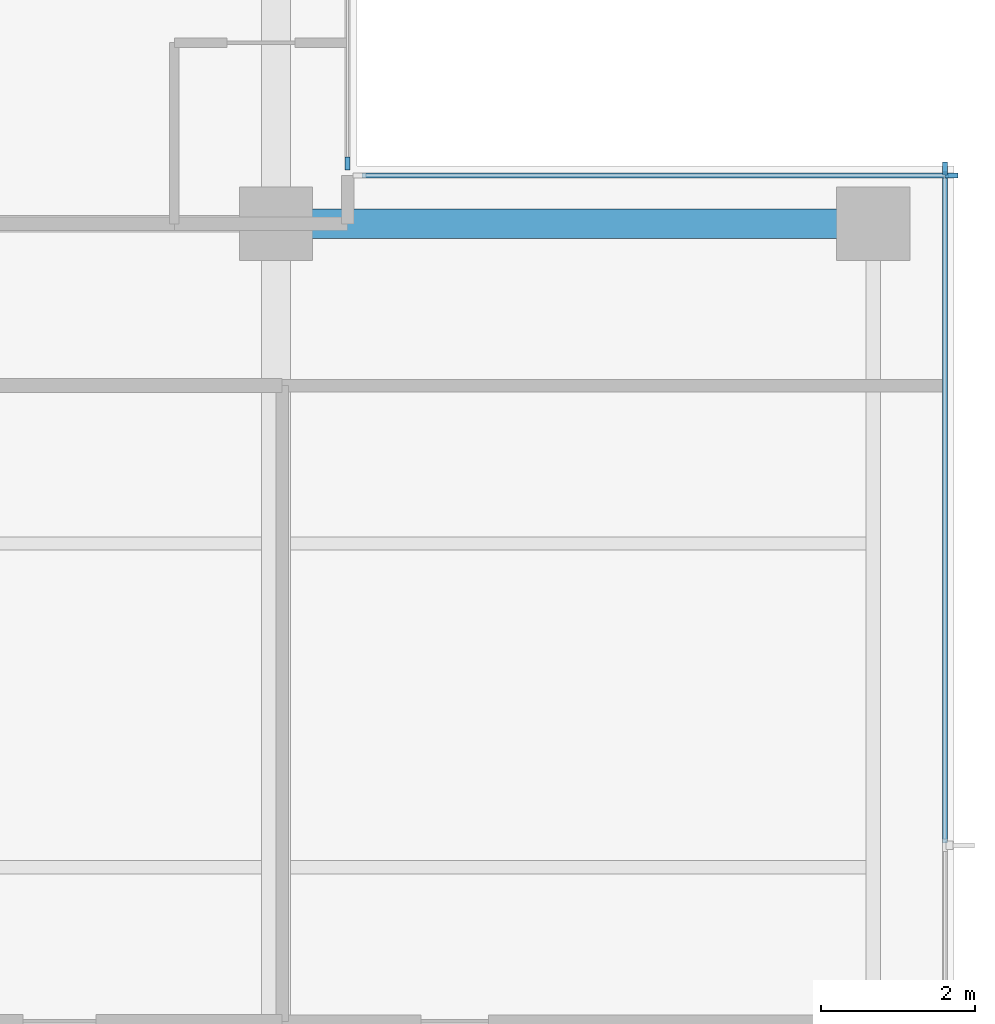
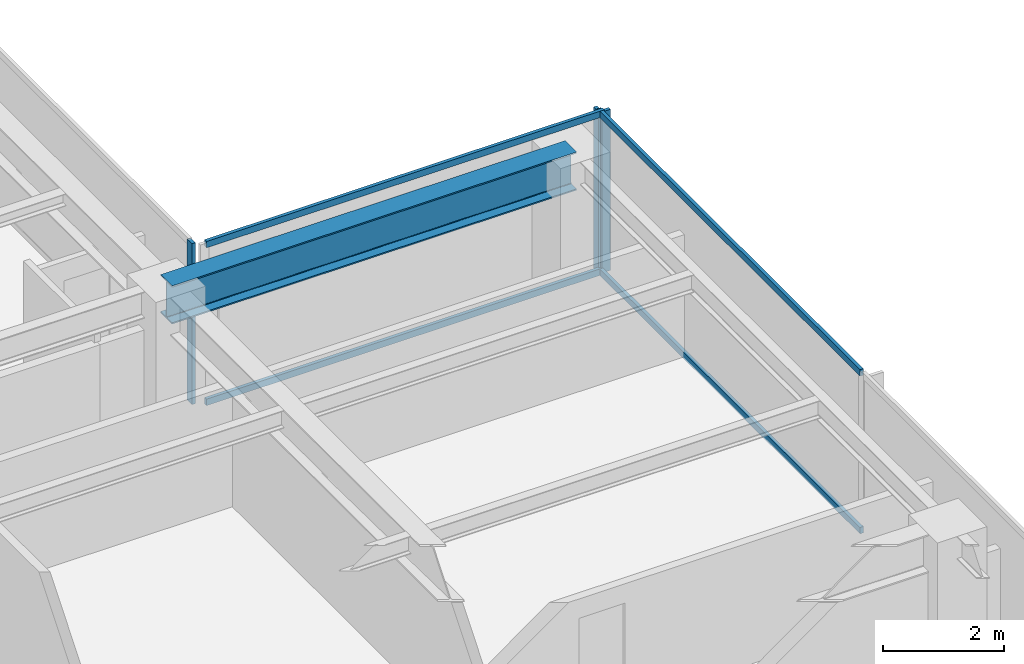
# One storey, part 4 of 14: 7 members, 1 beam, 3 elements without a shape of their own.
"""IFC4 building model written with IfcOpenShell, lengths in metres."""

import ifcopenshell
import ifcopenshell.guid

model = None  # the IFC model being written
_history = None  # IfcOwnerHistory: only IFC2X3 demands one
_inside = {}  # id of a spatial element -> (the spatial element, [elements in it])
_under = {}  # id of a project, library or spatial element -> (it, [spatial elements below it])
_declared = {}  # id of a project -> (the project, [libraries it declares])
_typed = {}  # id of a type object -> (the type object, [elements of that type])
_made_of = {}  # id of a material, layer set ... -> (it, [elements and type objects made of it])


def new_model(schema):
    """Start an empty IFC model of exactly this schema.

    Asked for "IFC4X3", IfcOpenShell would pick the latest addendum, in which some entities
    have other attributes; the version numbers below select the first issue.
    IFC2X3 requires an IfcOwnerHistory on every rooted entity: one is made here for all.
    """
    global model, _history
    if schema == "IFC4X3":
        model = ifcopenshell.file(schema_version=(4, 3, 0, 0))
    else:
        model = ifcopenshell.file(schema=schema)
    _inside.clear()
    _under.clear()
    _declared.clear()
    _typed.clear()
    _made_of.clear()
    _history = None
    if model.schema == "IFC2X3":
        org = make("IfcOrganization", Name="unknown")
        user = make(
            "IfcPersonAndOrganization",
            ThePerson=make("IfcPerson", FamilyName="unknown"),
            TheOrganization=org,
        )
        app = make(
            "IfcApplication",
            ApplicationDeveloper=org,
            Version="unknown",
            ApplicationFullName="unknown",
            ApplicationIdentifier="unknown",
        )
        _history = make(
            "IfcOwnerHistory",
            OwningUser=user,
            OwningApplication=app,
            ChangeAction="ADDED",
            CreationDate=0,
        )
    return model


def make(cls, **values):
    """One entity of the class cls with the attributes given. An attribute that is None is left unset."""
    return model.create_entity(
        cls, **{name: value for name, value in values.items() if value is not None}
    )


def rooted(cls, **values):
    """An entity with a GlobalId (a new one), such as an element, a storey or a relation."""
    return make(cls, GlobalId=ifcopenshell.guid.new(), OwnerHistory=_history, **values)


def si_unit(unit_type, name, prefix=None):
    """IfcSIUnit, for example si_unit("LENGTHUNIT", "METRE", prefix="MILLI")."""
    return make("IfcSIUnit", UnitType=unit_type, Prefix=prefix, Name=name)


def assignment(units):
    """IfcUnitAssignment: the units of a project."""
    return None if units is None else make("IfcUnitAssignment", Units=units)


def point(xyz):
    """IfcCartesianPoint."""
    return None if xyz is None else make("IfcCartesianPoint", Coordinates=xyz)


def direction(xyz):
    """IfcDirection."""
    return None if xyz is None else make("IfcDirection", DirectionRatios=xyz)


def frame(location, z_axis=None, x_axis=None):
    """IfcAxis2Placement3D, a coordinate frame: its origin and axes. An axis left out is left unset."""
    return make(
        "IfcAxis2Placement3D",
        Location=point(location),
        Axis=direction(z_axis),
        RefDirection=direction(x_axis),
    )


def frame_2d(location, x_axis=None):
    """IfcAxis2Placement2D, a coordinate frame in the plane: its origin and x axis."""
    return make(
        "IfcAxis2Placement2D", Location=point(location), RefDirection=direction(x_axis)
    )


def origin():
    """The frame at (0, 0, 0) with its axes left unset."""
    return frame((0.0, 0.0, 0.0))


def origin_2d():
    """The frame at (0, 0) in the plane with its x axis left unset."""
    return frame_2d((0.0, 0.0))


def place(relative_to, where):
    """IfcLocalPlacement: puts the frame where relative to a parent placement (None: the world)."""
    return make(
        "IfcLocalPlacement", PlacementRelTo=relative_to, RelativePlacement=where
    )


def context(
    kind, dimensions, precision=None, world=None, true_north=None, identifier=None
):
    """IfcGeometricRepresentationContext, for example the 3D "Model" context."""
    return make(
        "IfcGeometricRepresentationContext",
        ContextIdentifier=identifier,
        ContextType=kind,
        CoordinateSpaceDimension=dimensions,
        Precision=precision,
        WorldCoordinateSystem=world,
        TrueNorth=true_north,
    )


def subcontext(parent, identifier, kind, view, scale=None):
    """IfcGeometricRepresentationSubContext, for example "Body" below "Model"."""
    return make(
        "IfcGeometricRepresentationSubContext",
        ContextIdentifier=identifier,
        ContextType=kind,
        ParentContext=parent,
        TargetScale=scale,
        TargetView=view,
    )


def project(units=None, contexts=None):
    """IfcProject with its units and contexts."""
    return rooted(
        "IfcProject",
        Name="project",
        RepresentationContexts=contexts,
        UnitsInContext=assignment(units),
    )


def spatial(cls, under=None, at=None, **own):
    """A site, building, storey or space (cls), placed at a placement, below another one or the project."""
    s = rooted(cls, ObjectPlacement=at, **own)
    if under is not None:
        _under.setdefault(under.id(), (under, []))[1].append(s)
    return s


def profile(cls, at=None, kind="AREA", **sizes):
    """A parametric profile (cls). Its sizes go by their IFC names, for example OverallWidth=200.0."""
    return make(cls, ProfileType=kind, Position=at, **sizes)


def rectangle(**sizes):
    """IfcRectangleProfileDef."""
    return profile("IfcRectangleProfileDef", **sizes)


def i_section(**sizes):
    """IfcIShapeProfileDef."""
    return profile("IfcIShapeProfileDef", **sizes)


def extrude(swept, where, along, depth):
    """IfcExtrudedAreaSolid: the profile swept, set in the frame where, extruded along a direction by depth."""
    return make(
        "IfcExtrudedAreaSolid",
        SweptArea=swept,
        Position=where,
        ExtrudedDirection=direction(along),
        Depth=depth,
    )


def shape(context_of_items, identifier, shape_type, items):
    """IfcShapeRepresentation: the items that make up one representation, for example the "Body"."""
    return make(
        "IfcShapeRepresentation",
        ContextOfItems=context_of_items,
        RepresentationIdentifier=identifier,
        RepresentationType=shape_type,
        Items=items,
    )


def material(Name=None, Category=None):
    """IfcMaterial."""
    return make("IfcMaterial", Name=Name, Category=Category)


def layer(
    of_material, thickness, ventilated=None, Name=None, Category=None, Priority=None
):
    """IfcMaterialLayer: one layer of a wall or slab, of a material (None: an air gap)."""
    return make(
        "IfcMaterialLayer",
        Material=of_material,
        LayerThickness=thickness,
        IsVentilated=ventilated,
        Name=Name,
        Category=Category,
        Priority=Priority,
    )


def layer_set(layers, Name=None):
    """IfcMaterialLayerSet."""
    return make("IfcMaterialLayerSet", MaterialLayers=layers, LayerSetName=Name)


def material_profile(
    of_material, cross_section, Name=None, Category=None, Priority=None
):
    """IfcMaterialProfile: a cross section and its material."""
    return make(
        "IfcMaterialProfile",
        Name=Name,
        Material=of_material,
        Profile=cross_section,
        Priority=Priority,
        Category=Category,
    )


def profile_set(profiles, Name=None, composite=None):
    """IfcMaterialProfileSet."""
    return make(
        "IfcMaterialProfileSet",
        Name=Name,
        MaterialProfiles=profiles,
        CompositeProfile=composite,
    )


def made_of(thing, what):
    """Note that an element or type object is made of a material, layer set ...; save() writes the relation."""
    if what is not None:
        _made_of.setdefault(what.id(), (what, []))[1].append(thing)
    return thing


def type_object(cls, material=None, **own):
    """A type object (cls), such as IfcWallType, which elements share."""
    return made_of(rooted(cls, **own), material)


def element(
    cls,
    number,
    at=None,
    inside=None,
    cuts=None,
    type_object=None,
    material=None,
    context=None,
    identifier="Body",
    shape_type=None,
    held_by="IfcProductDefinitionShape",
    body=None,
    shapes=None,
    **own,
):
    """One element of the class cls, such as IfcWall. Its Tag is "e" and its number.

    at: its placement. inside: the storey or other place that contains it. cuts: it is an
    opening in that element (IfcRelVoidsElement). A single representation is given by context,
    identifier, shape_type and body (its items); several are given by shapes. held_by: the class
    of the entity that holds the representations. save() writes the other relations.
    """
    e = rooted(cls, Tag="e%d" % number, ObjectPlacement=at, **own)
    if body is not None:
        shapes = [shape(context, identifier, shape_type, body)]
    if shapes is not None:
        e.Representation = make(held_by, Representations=shapes)
    if inside is not None:
        _inside.setdefault(inside.id(), (inside, []))[1].append(e)
    if cuts is not None:
        rooted(
            "IfcRelVoidsElement", RelatingBuildingElement=cuts, RelatedOpeningElement=e
        )
    if type_object is not None:
        _typed.setdefault(type_object.id(), (type_object, []))[1].append(e)
    return made_of(e, material)


def aggregate(whole, parts):
    """IfcRelAggregates: a whole, such as a stair, and the parts it consists of."""
    return rooted("IfcRelAggregates", RelatingObject=whole, RelatedObjects=parts)


def save(model, path):
    """Write the relations noted so far, then the file.

    IfcRelAggregates (storeys below a building ...), IfcRelContainedInSpatialStructure (elements
    in a storey), IfcRelDefinesByType, IfcRelAssociatesMaterial and IfcRelDeclares: one each for
    every whole, place, type object, material and project.
    """
    for whole, parts in _under.values():
        aggregate(whole, parts)
    for where, things in _inside.values():
        rooted(
            "IfcRelContainedInSpatialStructure",
            RelatedElements=things,
            RelatingStructure=where,
        )
    for kind, things in _typed.values():
        rooted("IfcRelDefinesByType", RelatedObjects=things, RelatingType=kind)
    for what, things in _made_of.values():
        rooted("IfcRelAssociatesMaterial", RelatedObjects=things, RelatingMaterial=what)
    for by, libraries in _declared.values():
        rooted("IfcRelDeclares", RelatingContext=by, RelatedDefinitions=libraries)
    model.write(path)


model = new_model("IFC4")

# Units and contexts
model_context = context("Model", 3, precision=1e-05, world=origin(), true_north=direction((0.0, 1.0)))
body_context = subcontext(model_context, "Body", "Model", "MODEL_VIEW")
ifc_project = project(units=[si_unit("LENGTHUNIT", "METRE"), si_unit("AREAUNIT", "SQUARE_METRE"), si_unit("VOLUMEUNIT", "CUBIC_METRE"), si_unit("PLANEANGLEUNIT", "RADIAN"), si_unit("MASSUNIT", "GRAM", prefix="KILO")], contexts=[model_context])

# Site, building, storey
site_placement = place(None, origin())
site = spatial("IfcSite", under=ifc_project, at=site_placement, CompositionType="ELEMENT")
building_placement = place(site_placement, origin())
building = spatial("IfcBuilding", under=site, at=building_placement, Name="Qalmaran Belvedere Hotel", CompositionType="ELEMENT")
storey_placement = place(building_placement, frame((0.0, 0.0, 224.89990234375)))
storey = spatial("IfcBuildingStorey", under=building, at=storey_placement, Name="L57", CompositionType="ELEMENT", Elevation=224.89990234375)

# Beam
ifc_material_1 = material(Name="Steel S355JR", Category="steel")
ifc_material_profile_1 = material_profile(ifc_material_1, i_section(OverallWidth=0.381103515625, OverallDepth=0.77294921875, WebThickness=0.0166015625, FlangeThickness=0.027099609375, FilletRadius=0.02197265625, at=origin_2d()), Name="W760X257")
ifc_profile_set_1 = profile_set([ifc_material_profile_1], Name="Steel S355JR")
beam_type = type_object("IfcBeamType", Name="BM-PG4-W760X257", PredefinedType="USERDEFINED", material=ifc_profile_set_1)
beam_placement = place(storey_placement, frame((44.800048828125, 33.0, 2.87353515625), z_axis=(1.0, 0.0, 0.0), x_axis=(0.0, 1.0, 0.0)))
element("IfcBeam", 1, at=beam_placement, inside=storey, type_object=beam_type, Name="L57 East Wing Girder 27", ObjectType="GIRDER", PredefinedType="USERDEFINED", context=body_context, shape_type="SweptSolid", body=[
    extrude(i_section(OverallWidth=0.381103515625, OverallDepth=0.77294921875, WebThickness=0.0166015625, FlangeThickness=0.027099609375, FilletRadius=0.02197265625, at=origin_2d()), origin(), (0.0, 0.0, 1.0), 7.75),
])

# Curtain wall, member
ifc_material_2 = material(Name="Anodised Bronze Aluminium", Category="aluminium")
ifc_layer = layer(ifc_material_2, 0.18994140625, Name="Anodised Bronze Aluminium")
ifc_layer_set = layer_set([ifc_layer], Name="Anodised Bronze Aluminium")
curtain_wall_type = type_object("IfcCurtainWallType", Name="CW5-TOWER-UPPER", PredefinedType="NOTDEFINED", material=ifc_layer_set)
curtain_wall_1_placement = place(storey_placement, origin())
curtain_wall_1 = element("IfcCurtainWall", 2, at=curtain_wall_1_placement, inside=storey, type_object=curtain_wall_type, Name="L57 Curtain Wall CW5", PredefinedType="NOTDEFINED")
ifc_material_profile_2 = material_profile(ifc_material_2, rectangle(XDim=0.06494140625, YDim=0.1650390625, at=origin_2d()), Name="CWM65X165")
ifc_profile_set_2 = profile_set([ifc_material_profile_2], Name="Anodised Bronze Aluminium")
member_type_1 = type_object("IfcMemberType", Name="CWM-65X165", PredefinedType="MULLION", material=ifc_profile_set_2)
member_1_placement = place(storey_placement, frame((53.47998046875, 33.717529296875, 0.0), z_axis=(0.0, 0.0, 1.0), x_axis=(-1.0, 0.0, 0.0)))
member_1 = element("IfcMember", 3, at=member_1_placement, type_object=member_type_1, Name="CW5 mullion 4", PredefinedType="MULLION", context=body_context, shape_type="SweptSolid", body=[
    extrude(rectangle(XDim=0.06494140625, YDim=0.1650390625, at=origin_2d()), origin(), (0.0, 0.0, 1.0), 3.260009765625),
])

curtain_wall_2_placement = place(storey_placement, origin())
curtain_wall_2 = element("IfcCurtainWall", 4, at=curtain_wall_2_placement, inside=storey, type_object=curtain_wall_type, Name="L57 Curtain Wall CW5", PredefinedType="NOTDEFINED")
member_2_placement = place(storey_placement, frame((53.5673828125, 33.6298828125, 0.0), z_axis=(0.0, 0.0, 1.0), x_axis=(0.0, -1.0, 0.0)))
member_2 = element("IfcMember", 5, at=member_2_placement, type_object=member_type_1, Name="CW5 mullion 1", PredefinedType="MULLION", context=body_context, shape_type="SweptSolid", body=[
    extrude(rectangle(XDim=0.06494140625, YDim=0.1650390625, at=origin_2d()), origin(), (0.0, 0.0, 1.0), 3.260009765625),
])

curtain_wall_3_placement = place(storey_placement, origin())
curtain_wall_3 = element("IfcCurtainWall", 6, at=curtain_wall_3_placement, inside=storey, type_object=curtain_wall_type, Name="L57 Curtain Wall CW5", PredefinedType="NOTDEFINED")
member_3_placement = place(storey_placement, frame((45.72998046875, 33.782470703125, 0.0), z_axis=(0.0, 0.0, 1.0), x_axis=(-1.0, 0.0, 0.0)))
member_3 = element("IfcMember", 7, at=member_3_placement, type_object=member_type_1, Name="CW5 mullion 1", PredefinedType="MULLION", context=body_context, shape_type="SweptSolid", body=[
    extrude(rectangle(XDim=0.06494140625, YDim=0.1650390625, at=origin_2d()), origin(), (0.0, 0.0, 1.0), 3.260009765625),
])
aggregate(curtain_wall_3, [member_3])

# Member
ifc_material_profile_3 = material_profile(ifc_material_2, rectangle(XDim=0.06494140625, YDim=0.1298828125, at=origin_2d()), Name="CWT65X130")
ifc_profile_set_3 = profile_set([ifc_material_profile_3], Name="Anodised Bronze Aluminium")
member_type_2 = type_object("IfcMemberType", Name="CWT-65X130", PredefinedType="USERDEFINED", material=ifc_profile_set_3)
member_4_placement = place(storey_placement, frame((53.47998046875, 24.9658203125, 0.03271484375), z_axis=(0.0, 1.0, 0.0), x_axis=(-1.0, 0.0, 0.0)))
member_4 = element("IfcMember", 8, at=member_4_placement, type_object=member_type_2, Name="CW5 transom 3.1", ObjectType="TRANSOM", PredefinedType="USERDEFINED", context=body_context, shape_type="SweptSolid", body=[
    extrude(rectangle(XDim=0.06494140625, YDim=0.1298828125, at=origin_2d()), origin(), (0.0, 0.0, 1.0), 8.71923828125),
])

member_5_placement = place(storey_placement, frame((53.47998046875, 24.9658203125, 3.2275390625), z_axis=(0.0, 1.0, 0.0), x_axis=(-1.0, 0.0, 0.0)))
member_5 = element("IfcMember", 9, at=member_5_placement, type_object=member_type_2, Name="CW5 transom 3.2", ObjectType="TRANSOM", PredefinedType="USERDEFINED", context=body_context, shape_type="SweptSolid", body=[
    extrude(rectangle(XDim=0.06494140625, YDim=0.1298828125, at=origin_2d()), origin(), (0.0, 0.0, 1.0), 8.71923828125),
])

aggregate(curtain_wall_1, [member_1, member_4, member_5])

member_6_placement = place(storey_placement, frame((53.534912109375, 33.6298828125, 0.03271484375), z_axis=(-1.0, 0.0, 0.0), x_axis=(0.0, -1.0, 0.0)))
member_6 = element("IfcMember", 10, at=member_6_placement, type_object=member_type_2, Name="CW5 transom 1.1", ObjectType="TRANSOM", PredefinedType="USERDEFINED", context=body_context, shape_type="SweptSolid", body=[
    extrude(rectangle(XDim=0.06494140625, YDim=0.1298828125, at=origin_2d()), origin(), (0.0, 0.0, 1.0), 7.619873046875),
])

member_7_placement = place(storey_placement, frame((53.534912109375, 33.6298828125, 3.2275390625), z_axis=(-1.0, 0.0, 0.0), x_axis=(0.0, -1.0, 0.0)))
member_7 = element("IfcMember", 11, at=member_7_placement, type_object=member_type_2, Name="CW5 transom 1.2", ObjectType="TRANSOM", PredefinedType="USERDEFINED", context=body_context, shape_type="SweptSolid", body=[
    extrude(rectangle(XDim=0.06494140625, YDim=0.1298828125, at=origin_2d()), origin(), (0.0, 0.0, 1.0), 7.619873046875),
])

aggregate(curtain_wall_2, [member_2, member_6, member_7])

save(model, "model.ifc")
